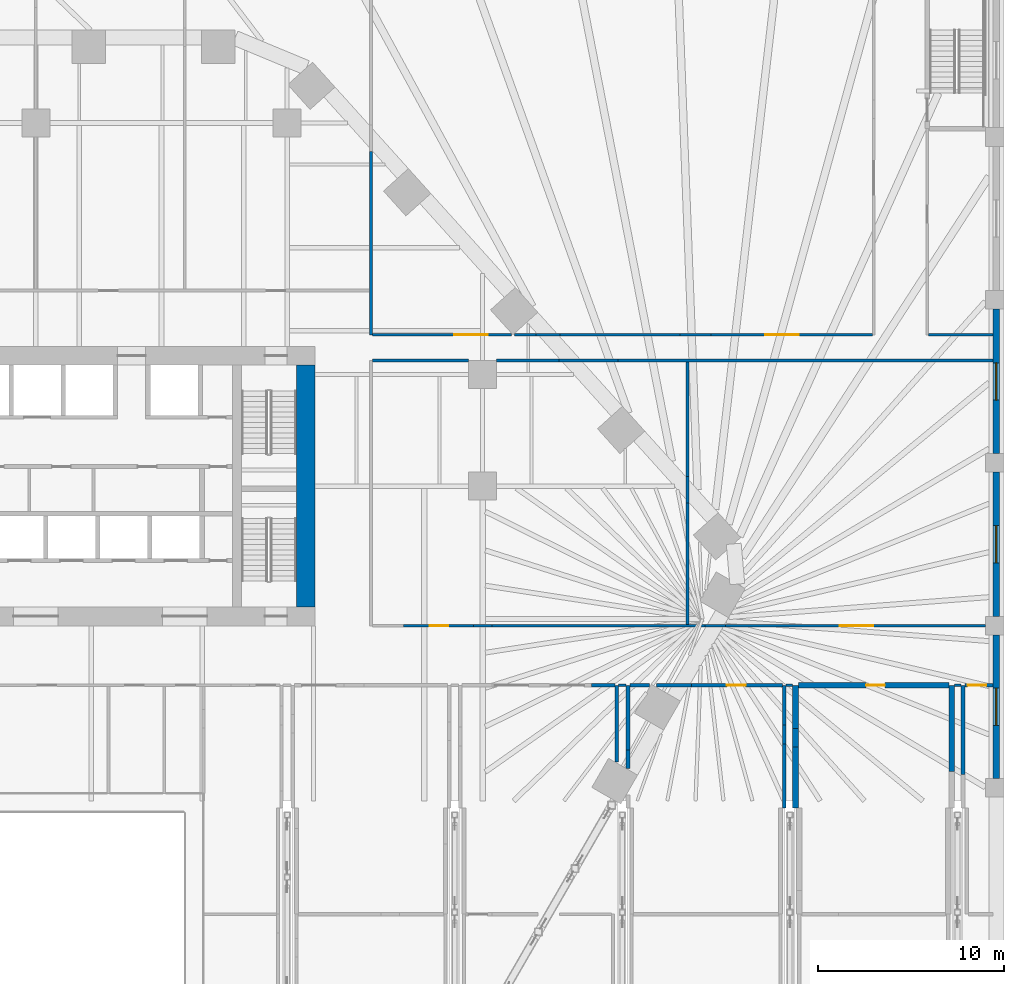
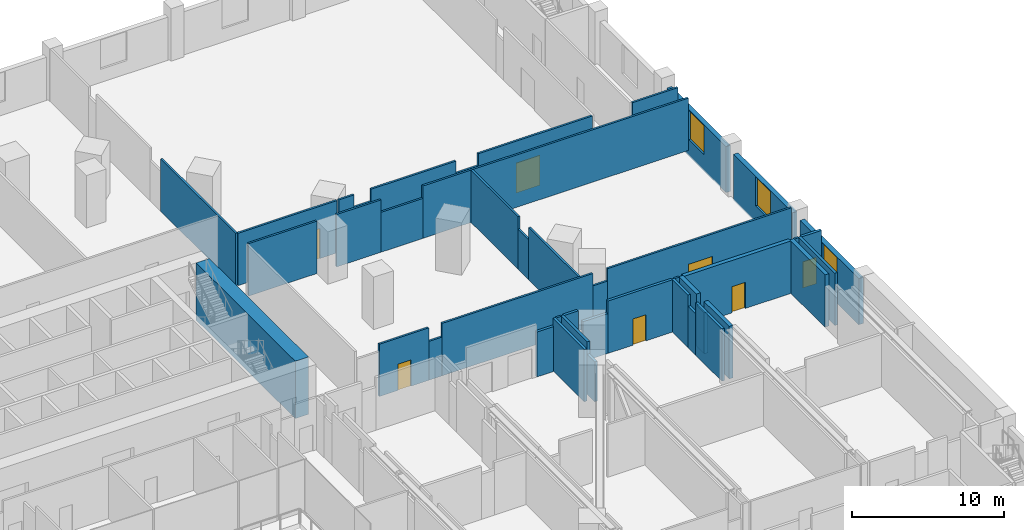
# One storey, part 21 of 32: 44 walls, 7 doors, 3 windows, 10 openings.
"""IFC4 building model written with IfcOpenShell, lengths in metres."""

import ifcopenshell
import ifcopenshell.guid

model = None  # the IFC model being written
_history = None  # IfcOwnerHistory: only IFC2X3 demands one
_inside = {}  # id of a spatial element -> (the spatial element, [elements in it])
_under = {}  # id of a project, library or spatial element -> (it, [spatial elements below it])
_declared = {}  # id of a project -> (the project, [libraries it declares])
_typed = {}  # id of a type object -> (the type object, [elements of that type])
_made_of = {}  # id of a material, layer set ... -> (it, [elements and type objects made of it])


def new_model(schema):
    """Start an empty IFC model of exactly this schema.

    Asked for "IFC4X3", IfcOpenShell would pick the latest addendum, in which some entities
    have other attributes; the version numbers below select the first issue.
    IFC2X3 requires an IfcOwnerHistory on every rooted entity: one is made here for all.
    """
    global model, _history
    if schema == "IFC4X3":
        model = ifcopenshell.file(schema_version=(4, 3, 0, 0))
    else:
        model = ifcopenshell.file(schema=schema)
    _inside.clear()
    _under.clear()
    _declared.clear()
    _typed.clear()
    _made_of.clear()
    _history = None
    if model.schema == "IFC2X3":
        org = make("IfcOrganization", Name="unknown")
        user = make(
            "IfcPersonAndOrganization",
            ThePerson=make("IfcPerson", FamilyName="unknown"),
            TheOrganization=org,
        )
        app = make(
            "IfcApplication",
            ApplicationDeveloper=org,
            Version="unknown",
            ApplicationFullName="unknown",
            ApplicationIdentifier="unknown",
        )
        _history = make(
            "IfcOwnerHistory",
            OwningUser=user,
            OwningApplication=app,
            ChangeAction="ADDED",
            CreationDate=0,
        )
    return model


def make(cls, **values):
    """One entity of the class cls with the attributes given. An attribute that is None is left unset."""
    return model.create_entity(
        cls, **{name: value for name, value in values.items() if value is not None}
    )


def rooted(cls, **values):
    """An entity with a GlobalId (a new one), such as an element, a storey or a relation."""
    return make(cls, GlobalId=ifcopenshell.guid.new(), OwnerHistory=_history, **values)


def si_unit(unit_type, name, prefix=None):
    """IfcSIUnit, for example si_unit("LENGTHUNIT", "METRE", prefix="MILLI")."""
    return make("IfcSIUnit", UnitType=unit_type, Prefix=prefix, Name=name)


def assignment(units):
    """IfcUnitAssignment: the units of a project."""
    return None if units is None else make("IfcUnitAssignment", Units=units)


def point(xyz):
    """IfcCartesianPoint."""
    return None if xyz is None else make("IfcCartesianPoint", Coordinates=xyz)


def direction(xyz):
    """IfcDirection."""
    return None if xyz is None else make("IfcDirection", DirectionRatios=xyz)


def frame(location, z_axis=None, x_axis=None):
    """IfcAxis2Placement3D, a coordinate frame: its origin and axes. An axis left out is left unset."""
    return make(
        "IfcAxis2Placement3D",
        Location=point(location),
        Axis=direction(z_axis),
        RefDirection=direction(x_axis),
    )


def frame_2d(location, x_axis=None):
    """IfcAxis2Placement2D, a coordinate frame in the plane: its origin and x axis."""
    return make(
        "IfcAxis2Placement2D", Location=point(location), RefDirection=direction(x_axis)
    )


def origin():
    """The frame at (0, 0, 0) with its axes left unset."""
    return frame((0.0, 0.0, 0.0))


def place(relative_to, where):
    """IfcLocalPlacement: puts the frame where relative to a parent placement (None: the world)."""
    return make(
        "IfcLocalPlacement", PlacementRelTo=relative_to, RelativePlacement=where
    )


def context(
    kind, dimensions, precision=None, world=None, true_north=None, identifier=None
):
    """IfcGeometricRepresentationContext, for example the 3D "Model" context."""
    return make(
        "IfcGeometricRepresentationContext",
        ContextIdentifier=identifier,
        ContextType=kind,
        CoordinateSpaceDimension=dimensions,
        Precision=precision,
        WorldCoordinateSystem=world,
        TrueNorth=true_north,
    )


def subcontext(parent, identifier, kind, view, scale=None):
    """IfcGeometricRepresentationSubContext, for example "Body" below "Model"."""
    return make(
        "IfcGeometricRepresentationSubContext",
        ContextIdentifier=identifier,
        ContextType=kind,
        ParentContext=parent,
        TargetScale=scale,
        TargetView=view,
    )


def project(units=None, contexts=None):
    """IfcProject with its units and contexts."""
    return rooted(
        "IfcProject",
        Name="project",
        RepresentationContexts=contexts,
        UnitsInContext=assignment(units),
    )


def spatial(cls, under=None, at=None, **own):
    """A site, building, storey or space (cls), placed at a placement, below another one or the project."""
    s = rooted(cls, ObjectPlacement=at, **own)
    if under is not None:
        _under.setdefault(under.id(), (under, []))[1].append(s)
    return s


def profile(cls, at=None, kind="AREA", **sizes):
    """A parametric profile (cls). Its sizes go by their IFC names, for example OverallWidth=200.0."""
    return make(cls, ProfileType=kind, Position=at, **sizes)


def rectangle(**sizes):
    """IfcRectangleProfileDef."""
    return profile("IfcRectangleProfileDef", **sizes)


def extrude(swept, where, along, depth):
    """IfcExtrudedAreaSolid: the profile swept, set in the frame where, extruded along a direction by depth."""
    return make(
        "IfcExtrudedAreaSolid",
        SweptArea=swept,
        Position=where,
        ExtrudedDirection=direction(along),
        Depth=depth,
    )


def shape(context_of_items, identifier, shape_type, items):
    """IfcShapeRepresentation: the items that make up one representation, for example the "Body"."""
    return make(
        "IfcShapeRepresentation",
        ContextOfItems=context_of_items,
        RepresentationIdentifier=identifier,
        RepresentationType=shape_type,
        Items=items,
    )


def material(Name=None, Category=None):
    """IfcMaterial."""
    return make("IfcMaterial", Name=Name, Category=Category)


def layer(
    of_material, thickness, ventilated=None, Name=None, Category=None, Priority=None
):
    """IfcMaterialLayer: one layer of a wall or slab, of a material (None: an air gap)."""
    return make(
        "IfcMaterialLayer",
        Material=of_material,
        LayerThickness=thickness,
        IsVentilated=ventilated,
        Name=Name,
        Category=Category,
        Priority=Priority,
    )


def layer_set(layers, Name=None):
    """IfcMaterialLayerSet."""
    return make("IfcMaterialLayerSet", MaterialLayers=layers, LayerSetName=Name)


def made_of(thing, what):
    """Note that an element or type object is made of a material, layer set ...; save() writes the relation."""
    if what is not None:
        _made_of.setdefault(what.id(), (what, []))[1].append(thing)
    return thing


def type_object(cls, material=None, **own):
    """A type object (cls), such as IfcWallType, which elements share."""
    return made_of(rooted(cls, **own), material)


def element(
    cls,
    number,
    at=None,
    inside=None,
    cuts=None,
    type_object=None,
    material=None,
    context=None,
    identifier="Body",
    shape_type=None,
    held_by="IfcProductDefinitionShape",
    body=None,
    shapes=None,
    **own,
):
    """One element of the class cls, such as IfcWall. Its Tag is "e" and its number.

    at: its placement. inside: the storey or other place that contains it. cuts: it is an
    opening in that element (IfcRelVoidsElement). A single representation is given by context,
    identifier, shape_type and body (its items); several are given by shapes. held_by: the class
    of the entity that holds the representations. save() writes the other relations.
    """
    e = rooted(cls, Tag="e%d" % number, ObjectPlacement=at, **own)
    if body is not None:
        shapes = [shape(context, identifier, shape_type, body)]
    if shapes is not None:
        e.Representation = make(held_by, Representations=shapes)
    if inside is not None:
        _inside.setdefault(inside.id(), (inside, []))[1].append(e)
    if cuts is not None:
        rooted(
            "IfcRelVoidsElement", RelatingBuildingElement=cuts, RelatedOpeningElement=e
        )
    if type_object is not None:
        _typed.setdefault(type_object.id(), (type_object, []))[1].append(e)
    return made_of(e, material)


def fill(opening, filler):
    """IfcRelFillsElement: the door or window that sits in an opening."""
    return rooted(
        "IfcRelFillsElement",
        RelatingOpeningElement=opening,
        RelatedBuildingElement=filler,
    )


def aggregate(whole, parts):
    """IfcRelAggregates: a whole, such as a stair, and the parts it consists of."""
    return rooted("IfcRelAggregates", RelatingObject=whole, RelatedObjects=parts)


def save(model, path):
    """Write the relations noted so far, then the file.

    IfcRelAggregates (storeys below a building ...), IfcRelContainedInSpatialStructure (elements
    in a storey), IfcRelDefinesByType, IfcRelAssociatesMaterial and IfcRelDeclares: one each for
    every whole, place, type object, material and project.
    """
    for whole, parts in _under.values():
        aggregate(whole, parts)
    for where, things in _inside.values():
        rooted(
            "IfcRelContainedInSpatialStructure",
            RelatedElements=things,
            RelatingStructure=where,
        )
    for kind, things in _typed.values():
        rooted("IfcRelDefinesByType", RelatedObjects=things, RelatingType=kind)
    for what, things in _made_of.values():
        rooted("IfcRelAssociatesMaterial", RelatedObjects=things, RelatingMaterial=what)
    for by, libraries in _declared.values():
        rooted("IfcRelDeclares", RelatingContext=by, RelatedDefinitions=libraries)
    model.write(path)


model = new_model("IFC4")

# Units and contexts
model_context = context("Model", 3, precision=1e-05, world=origin(), true_north=direction((0.0, 1.0)))
body_context = subcontext(model_context, "Body", "Model", "MODEL_VIEW")
ifc_project = project(units=[si_unit("LENGTHUNIT", "METRE"), si_unit("AREAUNIT", "SQUARE_METRE"), si_unit("VOLUMEUNIT", "CUBIC_METRE"), si_unit("PLANEANGLEUNIT", "RADIAN"), si_unit("MASSUNIT", "GRAM", prefix="KILO")], contexts=[model_context])

# Site, building, storey
site_placement = place(None, origin())
site = spatial("IfcSite", under=ifc_project, at=site_placement, CompositionType="ELEMENT")
building_placement = place(site_placement, origin())
building = spatial("IfcBuilding", under=site, at=building_placement, Name="Isthmus Gate Tower", CompositionType="ELEMENT")
storey_placement = place(building_placement, frame((0.0, 0.0, 18.0)))
storey = spatial("IfcBuildingStorey", under=building, at=storey_placement, Name="L02", CompositionType="ELEMENT", Elevation=18.0)

# Wall, opening, door
ifc_material_1 = material(Name="Double-leaf gypsum board with mineral wool, resilient mounted")
ifc_layer_1 = layer(ifc_material_1, 0.300048828125)
ifc_layer_set_1 = layer_set([ifc_layer_1], Name="Acoustic studio wall 300 double leaf")
wall_type_1 = type_object("IfcWallType", Name="Acoustic studio wall 300 double leaf", PredefinedType="PARTITIONING", material=ifc_layer_set_1)
wall_1_placement = place(storey_placement, frame((40.949951171875, -3.199951171875, 0.0), z_axis=(0.0, 0.0, 1.0), x_axis=(1.0, 0.0, 0.0)))
wall_1 = element("IfcWall", 1, at=wall_1_placement, inside=storey, type_object=wall_type_1, Name="Acoustic studio wall", PredefinedType="PARTITIONING", context=body_context, shape_type="SweptSolid", body=[
    extrude(rectangle(XDim=8.10009765625, YDim=0.300048828125, at=frame_2d((4.050048828125, 0.0))), origin(), (0.0, 0.0, 1.0), 4.199951171875),
])
opening_1_placement = place(wall_1_placement, frame((3.64990234375, 0.0, 0.0)))
opening_1 = element("IfcOpeningElement", 2, at=opening_1_placement, cuts=wall_1, Name="Opening DP02-29", PredefinedType="OPENING", context=body_context, shape_type="SweptSolid", body=[
    extrude(rectangle(XDim=1.0, YDim=2.10009765625, at=frame_2d((0.5, 1.050048828125))), frame((0.0, 0.159912109375, 0.0), z_axis=(0.0, -1.0, 0.0), x_axis=(1.0, 0.0, 0.0)), (0.0, 0.0, 1.0), 0.320068359375),
])
ifc_material_2 = material(Name="Hollow metal frame with solid-core timber leaf", Category="wood")
door_type_1 = type_object("IfcDoorType", Name="Single swing door 1000 x 2100", OperationType="SINGLE_SWING_LEFT", PredefinedType="DOOR", material=ifc_material_2)
door_1_placement = place(opening_1_placement, origin())
door_1 = element("IfcDoor", 3, at=door_1_placement, inside=storey, type_object=door_type_1, Name="Door DP02-29", OperationType="SINGLE_SWING_LEFT", OverallHeight=2.10009765625, OverallWidth=1.0, PredefinedType="DOOR", context=body_context, shape_type="SweptSolid", body=[
    extrude(rectangle(XDim=1.0, YDim=2.10009765625, at=frame_2d((0.5, 1.050048828125))), frame((0.0, 0.02490234375, 0.0), z_axis=(0.0, -1.0, 0.0), x_axis=(1.0, 0.0, 0.0)), (0.0, 0.0, 1.0), 0.050048828125),
])
fill(opening_1, door_1)

# Walls
wall_2_placement = place(storey_placement, frame((40.800048828125, -9.800048828125, 0.0), z_axis=(0.0, 0.0, 1.0), x_axis=(0.0, 1.0, 0.0)))
element("IfcWall", 4, at=wall_2_placement, inside=storey, type_object=wall_type_1, Name="Acoustic studio wall", PredefinedType="PARTITIONING", context=body_context, shape_type="SweptSolid", body=[
    extrude(rectangle(XDim=3.295654296875, YDim=0.300048828125, at=frame_2d((1.64794921875, 0.0))), origin(), (0.0, 0.0, 1.0), 4.199951171875),
])
wall_3_placement = place(storey_placement, frame((40.800048828125, -6.50439453125, 0.0), z_axis=(0.0, 0.0, 1.0), x_axis=(0.0, 1.0, 0.0)))
element("IfcWall", 5, at=wall_3_placement, inside=storey, type_object=wall_type_1, Name="Acoustic studio wall", PredefinedType="PARTITIONING", context=body_context, shape_type="SweptSolid", body=[
    extrude(rectangle(XDim=1.0, YDim=0.300048828125, at=frame_2d((0.5, 0.0))), origin(), (0.0, 0.0, 1.0), 3.29833984375),
])
wall_4_placement = place(storey_placement, frame((40.800048828125, -5.50439453125, 0.0), z_axis=(0.0, 0.0, 1.0), x_axis=(0.0, 1.0, 0.0)))
element("IfcWall", 6, at=wall_4_placement, inside=storey, type_object=wall_type_1, Name="Acoustic studio wall", PredefinedType="PARTITIONING", context=body_context, shape_type="SweptSolid", body=[
    extrude(rectangle(XDim=2.303466796875, YDim=0.300048828125, at=frame_2d((1.15185546875, 0.0))), origin(), (0.0, 0.0, 1.0), 4.199951171875),
])
wall_5_placement = place(storey_placement, frame((49.199951171875, -7.82275390625, 0.0), z_axis=(0.0, 0.0, 1.0), x_axis=(0.0, 1.0, 0.0)))
element("IfcWall", 7, at=wall_5_placement, inside=storey, type_object=wall_type_1, Name="Acoustic studio wall", PredefinedType="PARTITIONING", context=body_context, shape_type="SweptSolid", body=[
    extrude(rectangle(XDim=4.621826171875, YDim=0.300048828125, at=frame_2d((2.31103515625, 0.0))), origin(), (0.0, 0.0, 1.0), 4.199951171875),
])
ifc_material_3 = material(Name="Concrete f'c 30 MPa", Category="concrete")
ifc_layer_2 = layer(ifc_material_3, 0.199951171875)
ifc_layer_set_2 = layer_set([ifc_layer_2], Name="Fire-rated block wall 200")
wall_type_2 = type_object("IfcWallType", Name="Fire-rated block wall 200", PredefinedType="PARTITIONING", material=ifc_layer_set_2)
wall_6_placement = place(storey_placement, frame((29.832763671875, -3.199951171875, 0.0), z_axis=(0.0, 0.0, 1.0), x_axis=(1.0, 0.0, 0.0)))
element("IfcWall", 8, at=wall_6_placement, inside=storey, type_object=wall_type_2, Name="Fire-rated wall", PredefinedType="PARTITIONING", context=body_context, shape_type="SweptSolid", body=[
    extrude(rectangle(XDim=1.267333984375, YDim=0.199951171875, at=frame_2d((0.6337890625, 0.0))), origin(), (0.0, 0.0, 1.0), 3.5966796875),
])
wall_7_placement = place(storey_placement, frame((31.89990234375, -3.199951171875, 0.0), z_axis=(0.0, 0.0, 1.0), x_axis=(1.0, 0.0, 0.0)))
element("IfcWall", 9, at=wall_7_placement, inside=storey, type_object=wall_type_2, Name="Fire-rated wall", PredefinedType="PARTITIONING", context=body_context, shape_type="SweptSolid", body=[
    extrude(rectangle(XDim=1.06689453125, YDim=0.199951171875, at=frame_2d((0.533447265625, 0.0))), origin(), (0.0, 0.0, 1.0), 4.199951171875),
])
wall_8_placement = place(storey_placement, frame((33.3291015625, -3.199951171875, 0.0), z_axis=(0.0, 0.0, 1.0), x_axis=(1.0, 0.0, 0.0)))
element("IfcWall", 10, at=wall_8_placement, inside=storey, type_object=wall_type_2, Name="Fire-rated wall", PredefinedType="PARTITIONING", context=body_context, shape_type="SweptSolid", body=[
    extrude(rectangle(XDim=1.889404296875, YDim=0.199951171875, at=frame_2d((0.94482421875, 0.0))), origin(), (0.0, 0.0, 1.0), 3.199951171875),
])

# Wall, opening, door
wall_9_placement = place(storey_placement, frame((35.218505859375, -3.199951171875, 0.0), z_axis=(0.0, 0.0, 1.0), x_axis=(1.0, 0.0, 0.0)))
wall_9 = element("IfcWall", 11, at=wall_9_placement, inside=storey, type_object=wall_type_2, Name="Fire-rated wall", PredefinedType="PARTITIONING", context=body_context, shape_type="SweptSolid", body=[
    extrude(rectangle(XDim=4.881591796875, YDim=0.199951171875, at=frame_2d((2.44091796875, 0.0))), origin(), (0.0, 0.0, 1.0), 4.199951171875),
])
opening_2_placement = place(wall_9_placement, frame((1.89990234375, 0.0, 0.0)))
opening_2 = element("IfcOpeningElement", 12, at=opening_2_placement, cuts=wall_9, Name="Opening DP02-28", PredefinedType="OPENING", context=body_context, shape_type="SweptSolid", body=[
    extrude(rectangle(XDim=1.0, YDim=2.10009765625, at=frame_2d((0.5, 1.050048828125))), frame((0.0, 0.10986328125, 0.0), z_axis=(0.0, -1.0, 0.0), x_axis=(1.0, 0.0, 0.0)), (0.0, 0.0, 1.0), 0.219970703125),
])
ifc_material_4 = material(Name="Steel fire door with intumescent seals", Category="steel")
door_type_2 = type_object("IfcDoorType", Name="Fire door 1000 x 2100", OperationType="SINGLE_SWING_LEFT", PredefinedType="DOOR", material=ifc_material_4)
door_2_placement = place(opening_2_placement, origin())
door_2 = element("IfcDoor", 13, at=door_2_placement, inside=storey, type_object=door_type_2, Name="Door DP02-28", OperationType="SINGLE_SWING_LEFT", OverallHeight=2.10009765625, OverallWidth=1.0, PredefinedType="DOOR", context=body_context, shape_type="SweptSolid", body=[
    extrude(rectangle(XDim=1.0, YDim=2.10009765625, at=frame_2d((0.5, 1.050048828125))), frame((0.0, 0.02490234375, 0.0), z_axis=(0.0, -1.0, 0.0), x_axis=(1.0, 0.0, 0.0)), (0.0, 0.0, 1.0), 0.050048828125),
])
fill(opening_2, door_2)

wall_10_placement = place(storey_placement, frame((49.89990234375, -3.199951171875, 0.0), z_axis=(0.0, 0.0, 1.0), x_axis=(1.0, 0.0, 0.0)))
wall_10 = element("IfcWall", 14, at=wall_10_placement, inside=storey, type_object=wall_type_2, Name="Fire-rated wall", PredefinedType="PARTITIONING", context=body_context, shape_type="SweptSolid", body=[
    extrude(rectangle(XDim=1.5, YDim=0.199951171875, at=frame_2d((0.75, 0.0))), origin(), (0.0, 0.0, 1.0), 4.199951171875),
])
opening_3_placement = place(wall_10_placement, frame((0.14990234375, 0.0, 0.0)))
opening_3 = element("IfcOpeningElement", 15, at=opening_3_placement, cuts=wall_10, Name="Opening DP02-30", PredefinedType="OPENING", context=body_context, shape_type="SweptSolid", body=[
    extrude(rectangle(XDim=1.0, YDim=2.10009765625, at=frame_2d((0.5, 1.050048828125))), frame((0.0, 0.10986328125, 0.0), z_axis=(0.0, -1.0, 0.0), x_axis=(1.0, 0.0, 0.0)), (0.0, 0.0, 1.0), 0.219970703125),
])
door_3_placement = place(opening_3_placement, origin())
door_3 = element("IfcDoor", 16, at=door_3_placement, inside=storey, type_object=door_type_2, Name="Door DP02-30", OperationType="SINGLE_SWING_LEFT", OverallHeight=2.10009765625, OverallWidth=1.0, PredefinedType="DOOR", context=body_context, shape_type="SweptSolid", body=[
    extrude(rectangle(XDim=1.0, YDim=2.10009765625, at=frame_2d((0.5, 1.050048828125))), frame((0.0, 0.02490234375, 0.0), z_axis=(0.0, -1.0, 0.0), x_axis=(1.0, 0.0, 0.0)), (0.0, 0.0, 1.0), 0.050048828125),
])
fill(opening_3, door_3)

# Walls
wall_11_placement = place(storey_placement, frame((31.199951171875, -7.31640625, 0.0), z_axis=(0.0, 0.0, 1.0), x_axis=(0.0, 1.0, 0.0)))
element("IfcWall", 17, at=wall_11_placement, inside=storey, type_object=wall_type_2, Name="Fire-rated wall", PredefinedType="PARTITIONING", context=body_context, shape_type="SweptSolid", body=[
    extrude(rectangle(XDim=4.115478515625, YDim=0.199951171875, at=frame_2d((2.0576171875, 0.0))), origin(), (0.0, 0.0, 1.0), 4.199951171875),
])
wall_12_placement = place(storey_placement, frame((31.800048828125, -7.662841796875, 0.0), z_axis=(0.0, 0.0, 1.0), x_axis=(0.0, 1.0, 0.0)))
element("IfcWall", 18, at=wall_12_placement, inside=storey, type_object=wall_type_2, Name="Fire-rated wall", PredefinedType="PARTITIONING", context=body_context, shape_type="SweptSolid", body=[
    extrude(rectangle(XDim=1.0, YDim=0.199951171875, at=frame_2d((0.5, 0.0))), origin(), (0.0, 0.0, 1.0), 3.199951171875),
])
wall_13_placement = place(storey_placement, frame((31.800048828125, -6.662841796875, 0.0), z_axis=(0.0, 0.0, 1.0), x_axis=(0.0, 1.0, 0.0)))
element("IfcWall", 19, at=wall_13_placement, inside=storey, type_object=wall_type_2, Name="Fire-rated wall", PredefinedType="PARTITIONING", context=body_context, shape_type="SweptSolid", body=[
    extrude(rectangle(XDim=3.4619140625, YDim=0.199951171875, at=frame_2d((1.73095703125, 0.0))), origin(), (0.0, 0.0, 1.0), 4.199951171875),
])
wall_14_placement = place(storey_placement, frame((40.199951171875, -9.800048828125, 0.0), z_axis=(0.0, 0.0, 1.0), x_axis=(0.0, 1.0, 0.0)))
element("IfcWall", 20, at=wall_14_placement, inside=storey, type_object=wall_type_2, Name="Fire-rated wall", PredefinedType="PARTITIONING", context=body_context, shape_type="SweptSolid", body=[
    extrude(rectangle(XDim=3.461181640625, YDim=0.199951171875, at=frame_2d((1.73046875, 0.0))), origin(), (0.0, 0.0, 1.0), 4.199951171875),
])
wall_15_placement = place(storey_placement, frame((40.199951171875, -6.3388671875, 0.0), z_axis=(0.0, 0.0, 1.0), x_axis=(0.0, 1.0, 0.0)))
element("IfcWall", 21, at=wall_15_placement, inside=storey, type_object=wall_type_2, Name="Fire-rated wall", PredefinedType="PARTITIONING", context=body_context, shape_type="SweptSolid", body=[
    extrude(rectangle(XDim=1.0, YDim=0.199951171875, at=frame_2d((0.5, 0.0))), origin(), (0.0, 0.0, 1.0), 3.29833984375),
])
wall_16_placement = place(storey_placement, frame((40.199951171875, -5.3388671875, 0.0), z_axis=(0.0, 0.0, 1.0), x_axis=(0.0, 1.0, 0.0)))
element("IfcWall", 22, at=wall_16_placement, inside=storey, type_object=wall_type_2, Name="Fire-rated wall", PredefinedType="PARTITIONING", context=body_context, shape_type="SweptSolid", body=[
    extrude(rectangle(XDim=2.137939453125, YDim=0.199951171875, at=frame_2d((1.06884765625, 0.0))), origin(), (0.0, 0.0, 1.0), 4.199951171875),
])
wall_17_placement = place(storey_placement, frame((49.800048828125, -7.98828125, 0.0), z_axis=(0.0, 0.0, 1.0), x_axis=(0.0, 1.0, 0.0)))
element("IfcWall", 23, at=wall_17_placement, inside=storey, type_object=wall_type_2, Name="Fire-rated wall", PredefinedType="PARTITIONING", context=body_context, shape_type="SweptSolid", body=[
    extrude(rectangle(XDim=4.787353515625, YDim=0.199951171875, at=frame_2d((2.3935546875, 0.0))), origin(), (0.0, 0.0, 1.0), 4.199951171875),
])

# Wall, opening, window
ifc_material_5 = material(Name="Precast concrete C40/50, limestone-faced", Category="masonry")
ifc_layer_3 = layer(ifc_material_5, 0.35009765625)
ifc_layer_set_3 = layer_set([ifc_layer_3], Name="PODIUM CLADDING WALL 350")
wall_type_3 = type_object("IfcWallType", Name="PODIUM CLADDING WALL 350", PredefinedType="SOLIDWALL", material=ifc_layer_set_3)
wall_18_placement = place(storey_placement, frame((51.574951171875, -8.199951171875, -0.39990234375), z_axis=(0.0, 0.0, 1.0), x_axis=(0.0, 1.0, 0.0)))
wall_18 = element("IfcWall", 24, at=wall_18_placement, inside=storey, type_object=wall_type_3, Name="PODIUM WALL", PredefinedType="SOLIDWALL", context=body_context, shape_type="SweptSolid", body=[
    extrude(rectangle(XDim=7.699951171875, YDim=0.35009765625, at=frame_2d((3.85009765625, 0.0))), origin(), (0.0, 0.0, 1.0), 3.699951171875),
])
opening_4_placement = place(wall_18_placement, frame((2.85009765625, 0.0, 1.300048828125)))
opening_4 = element("IfcOpeningElement", 25, at=opening_4_placement, cuts=wall_18, Name="Opening W012", PredefinedType="OPENING", context=body_context, shape_type="SweptSolid", body=[
    extrude(rectangle(XDim=2.0, YDim=2.35009765625, at=frame_2d((1.0, 1.175048828125))), frame((0.0, 0.18505859375, 0.0), z_axis=(0.0, -1.0, 0.0), x_axis=(1.0, 0.0, 0.0)), (0.0, 0.0, 1.0), 0.3701171875),
])
ifc_material_6 = material(Name="Aluminium, pale champagne anodised, laminated glass", Category="aluminium")
window_type = type_object("IfcWindowType", Name="PODIUM SLOT WINDOW 2000 X 2350", PartitioningType="SINGLE_PANEL", PredefinedType="WINDOW", material=ifc_material_6)
window_1_placement = place(opening_4_placement, origin())
window_1 = element("IfcWindow", 26, at=window_1_placement, inside=storey, type_object=window_type, Name="SLOT WINDOW", OverallHeight=2.35009765625, OverallWidth=2.0, PartitioningType="SINGLE_PANEL", PredefinedType="WINDOW", context=body_context, shape_type="SweptSolid", body=[
    extrude(rectangle(XDim=2.0, YDim=2.35009765625, at=frame_2d((1.0, 1.175048828125))), frame((0.0, 0.030029296875, 0.0), z_axis=(0.0, -1.0, 0.0), x_axis=(1.0, 0.0, 0.0)), (0.0, 0.0, 1.0), 0.06005859375),
])
fill(opening_4, window_1)

wall_19_placement = place(storey_placement, frame((51.574951171875, 0.5, -0.39990234375), z_axis=(0.0, 0.0, 1.0), x_axis=(0.0, 1.0, 0.0)))
wall_19 = element("IfcWall", 27, at=wall_19_placement, inside=storey, type_object=wall_type_3, Name="PODIUM WALL", PredefinedType="SOLIDWALL", context=body_context, shape_type="SweptSolid", body=[
    extrude(rectangle(XDim=7.75, YDim=0.35009765625, at=frame_2d((3.875, 0.0))), origin(), (0.0, 0.0, 1.0), 3.699951171875),
])
opening_5_placement = place(wall_19_placement, frame((2.875, 0.0, 1.300048828125)))
opening_5 = element("IfcOpeningElement", 28, at=opening_5_placement, cuts=wall_19, Name="Opening W013", PredefinedType="OPENING", context=body_context, shape_type="SweptSolid", body=[
    extrude(rectangle(XDim=2.0, YDim=2.35009765625, at=frame_2d((1.0, 1.175048828125))), frame((0.0, 0.18505859375, 0.0), z_axis=(0.0, -1.0, 0.0), x_axis=(1.0, 0.0, 0.0)), (0.0, 0.0, 1.0), 0.3701171875),
])
window_2_placement = place(opening_5_placement, origin())
window_2 = element("IfcWindow", 29, at=window_2_placement, inside=storey, type_object=window_type, Name="SLOT WINDOW", OverallHeight=2.35009765625, OverallWidth=2.0, PartitioningType="SINGLE_PANEL", PredefinedType="WINDOW", context=body_context, shape_type="SweptSolid", body=[
    extrude(rectangle(XDim=2.0, YDim=2.35009765625, at=frame_2d((1.0, 1.175048828125))), frame((0.0, 0.030029296875, 0.0), z_axis=(0.0, -1.0, 0.0), x_axis=(1.0, 0.0, 0.0)), (0.0, 0.0, 1.0), 0.06005859375),
])
fill(opening_5, window_2)

wall_20_placement = place(storey_placement, frame((51.574951171875, 9.25, -0.39990234375), z_axis=(0.0, 0.0, 1.0), x_axis=(0.0, 1.0, 0.0)))
wall_20 = element("IfcWall", 30, at=wall_20_placement, inside=storey, type_object=wall_type_3, Name="PODIUM WALL", PredefinedType="SOLIDWALL", context=body_context, shape_type="SweptSolid", body=[
    extrude(rectangle(XDim=7.75, YDim=0.35009765625, at=frame_2d((3.875, 0.0))), origin(), (0.0, 0.0, 1.0), 3.699951171875),
])
opening_6_placement = place(wall_20_placement, frame((2.875, 0.0, 1.300048828125)))
opening_6 = element("IfcOpeningElement", 31, at=opening_6_placement, cuts=wall_20, Name="Opening W014", PredefinedType="OPENING", context=body_context, shape_type="SweptSolid", body=[
    extrude(rectangle(XDim=2.0, YDim=2.35009765625, at=frame_2d((1.0, 1.175048828125))), frame((0.0, 0.18505859375, 0.0), z_axis=(0.0, -1.0, 0.0), x_axis=(1.0, 0.0, 0.0)), (0.0, 0.0, 1.0), 0.3701171875),
])
window_3_placement = place(opening_6_placement, origin())
window_3 = element("IfcWindow", 32, at=window_3_placement, inside=storey, type_object=window_type, Name="SLOT WINDOW", OverallHeight=2.35009765625, OverallWidth=2.0, PartitioningType="SINGLE_PANEL", PredefinedType="WINDOW", context=body_context, shape_type="SweptSolid", body=[
    extrude(rectangle(XDim=2.0, YDim=2.35009765625, at=frame_2d((1.0, 1.175048828125))), frame((0.0, 0.030029296875, 0.0), z_axis=(0.0, -1.0, 0.0), x_axis=(1.0, 0.0, 0.0)), (0.0, 0.0, 1.0), 0.06005859375),
])
fill(opening_6, window_3)

# Walls
ifc_material_7 = material(Name="Gypsum board on cold-formed steel studs", Category="steel")
ifc_layer_4 = layer(ifc_material_7, 0.14990234375)
ifc_layer_set_4 = layer_set([ifc_layer_4])
wall_type_4 = type_object("IfcWallType", Name="Partition 150 gypsum board on steel studs", PredefinedType="PARTITIONING", material=ifc_layer_set_4)
wall_21_placement = place(storey_placement, frame((31.300048828125, -3.199951171875, 0.0), z_axis=(0.0, 0.0, 1.0), x_axis=(1.0, 0.0, 0.0)))
element("IfcWall", 33, at=wall_21_placement, inside=storey, type_object=wall_type_4, Name="Partition", PredefinedType="PARTITIONING", context=body_context, shape_type="SweptSolid", body=[
    extrude(rectangle(XDim=0.39990234375, YDim=0.14990234375, at=frame_2d((0.199951171875, 0.0))), origin(), (0.0, 0.0, 1.0), 4.199951171875),
])
for number, where, z_axis, x_axis, name in (
    (34, (40.300048828125, -3.199951171875, 0.0), (0.0, 0.0, 1.0), (1.0, 0.0, 0.0), "Partition"),
    (35, (49.35009765625, -3.199951171875, 0.0), (0.0, 0.0, 1.0), (1.0, 0.0, 0.0), "Partition"),
):
    element("IfcWall", number, at=place(storey_placement, frame(where, z_axis=z_axis, x_axis=x_axis)), inside=storey, type_object=wall_type_4, Name=name, PredefinedType="PARTITIONING", context=body_context, shape_type="SweptSolid", body=[
        extrude(rectangle(XDim=0.349853515625, YDim=0.14990234375, at=frame_2d((0.1748046875, 0.0))), origin(), (0.0, 0.0, 1.0), 4.199951171875),
    ])

# Wall, opening, door
wall_22_placement = place(storey_placement, frame((19.7548828125, 0.0, 0.0), z_axis=(0.0, 0.0, 1.0), x_axis=(1.0, 0.0, 0.0)))
wall_22 = element("IfcWall", 36, at=wall_22_placement, inside=storey, type_object=wall_type_4, Name="Partition", PredefinedType="PARTITIONING", context=body_context, shape_type="SweptSolid", body=[
    extrude(rectangle(XDim=3.7451171875, YDim=0.14990234375, at=frame_2d((1.87255859375, 0.0))), origin(), (0.0, 0.0, 1.0), 4.199951171875),
])
opening_7_placement = place(wall_22_placement, frame((1.39990234375, 0.0, 0.0)))
opening_7 = element("IfcOpeningElement", 37, at=opening_7_placement, cuts=wall_22, Name="Opening DP02-49", PredefinedType="OPENING", context=body_context, shape_type="SweptSolid", body=[
    extrude(rectangle(XDim=1.0, YDim=2.10009765625, at=frame_2d((0.5, 1.050048828125))), frame((0.0, 0.0849609375, 0.0), z_axis=(0.0, -1.0, 0.0), x_axis=(1.0, 0.0, 0.0)), (0.0, 0.0, 1.0), 0.169921875),
])
door_4_placement = place(opening_7_placement, origin())
door_4 = element("IfcDoor", 38, at=door_4_placement, inside=storey, type_object=door_type_1, Name="Door DP02-49", OperationType="SINGLE_SWING_LEFT", OverallHeight=2.10009765625, OverallWidth=1.0, PredefinedType="DOOR", context=body_context, shape_type="SweptSolid", body=[
    extrude(rectangle(XDim=1.0, YDim=2.10009765625, at=frame_2d((0.5, 1.050048828125))), frame((0.0, 0.02490234375, 0.0), z_axis=(0.0, -1.0, 0.0), x_axis=(1.0, 0.0, 0.0)), (0.0, 0.0, 1.0), 0.050048828125),
])
fill(opening_7, door_4)

# Walls
wall_23_placement = place(storey_placement, frame((23.5, 0.0, 0.0), z_axis=(0.0, 0.0, 1.0), x_axis=(1.0, 0.0, 0.0)))
element("IfcWall", 39, at=wall_23_placement, inside=storey, type_object=wall_type_4, Name="Partition", PredefinedType="PARTITIONING", context=body_context, shape_type="SweptSolid", body=[
    extrude(rectangle(XDim=1.0, YDim=0.14990234375, at=frame_2d((0.5, 0.0))), origin(), (0.0, 0.0, 1.0), 3.111083984375),
])
wall_24_placement = place(storey_placement, frame((24.5, 0.0, 0.0), z_axis=(0.0, 0.0, 1.0), x_axis=(1.0, 0.0, 0.0)))
element("IfcWall", 40, at=wall_24_placement, inside=storey, type_object=wall_type_4, Name="Partition", PredefinedType="PARTITIONING", context=body_context, shape_type="SweptSolid", body=[
    extrude(rectangle(XDim=11.440185546875, YDim=0.14990234375, at=frame_2d((5.72021484375, 0.0))), origin(), (0.0, 0.0, 1.0), 4.199951171875),
])
wall_25_placement = place(storey_placement, frame((35.940185546875, 0.0, 0.0), z_axis=(0.0, 0.0, 1.0), x_axis=(1.0, 0.0, 0.0)))
element("IfcWall", 41, at=wall_25_placement, inside=storey, type_object=wall_type_4, Name="Partition", PredefinedType="PARTITIONING", context=body_context, shape_type="SweptSolid", body=[
    extrude(rectangle(XDim=1.096923828125, YDim=0.14990234375, at=frame_2d((0.54833984375, 0.0))), origin(), (0.0, 0.0, 1.0), 3.199951171875),
])

# Wall, opening, door
wall_26_placement = place(storey_placement, frame((37.037109375, 0.0, 0.0), z_axis=(0.0, 0.0, 1.0), x_axis=(1.0, 0.0, 0.0)))
wall_26 = element("IfcWall", 42, at=wall_26_placement, inside=storey, type_object=wall_type_4, Name="Partition", PredefinedType="PARTITIONING", context=body_context, shape_type="SweptSolid", body=[
    extrude(rectangle(XDim=13.962890625, YDim=0.14990234375, at=frame_2d((6.9814453125, 0.0))), origin(), (0.0, 0.0, 1.0), 4.199951171875),
])
opening_8_placement = place(wall_26_placement, frame((6.14990234375, 0.0, 0.0)))
opening_8 = element("IfcOpeningElement", 43, at=opening_8_placement, cuts=wall_26, Name="Opening DP02-50", PredefinedType="OPENING", context=body_context, shape_type="SweptSolid", body=[
    extrude(rectangle(XDim=1.800048828125, YDim=2.39990234375, at=frame_2d((0.89990234375, 1.199951171875))), frame((0.0, 0.0849609375, 0.0), z_axis=(0.0, -1.0, 0.0), x_axis=(1.0, 0.0, 0.0)), (0.0, 0.0, 1.0), 0.169921875),
])
ifc_material_8 = material(Name="Hollow metal frame with solid-core timber leaves", Category="wood")
door_type_3 = type_object("IfcDoorType", Name="Double swing door 1800 x 2400", OperationType="DOUBLE_DOOR_SINGLE_SWING", PredefinedType="DOOR", material=ifc_material_8)
door_5_placement = place(opening_8_placement, origin())
door_5 = element("IfcDoor", 44, at=door_5_placement, inside=storey, type_object=door_type_3, Name="Door DP02-50", OperationType="SINGLE_SWING_LEFT", OverallHeight=2.39990234375, OverallWidth=1.800048828125, PredefinedType="DOOR", context=body_context, shape_type="SweptSolid", body=[
    extrude(rectangle(XDim=1.800048828125, YDim=2.39990234375, at=frame_2d((0.89990234375, 1.199951171875))), frame((0.0, 0.02490234375, 0.0), z_axis=(0.0, -1.0, 0.0), x_axis=(1.0, 0.0, 0.0)), (0.0, 0.0, 1.0), 0.050048828125),
])
fill(opening_8, door_5)

# Walls
wall_27_placement = place(storey_placement, frame((18.074951171875, 14.25, 0.0), z_axis=(0.0, 0.0, 1.0), x_axis=(1.0, 0.0, 0.0)))
element("IfcWall", 45, at=wall_27_placement, inside=storey, type_object=wall_type_4, Name="Partition", PredefinedType="PARTITIONING", context=body_context, shape_type="SweptSolid", body=[
    extrude(rectangle(XDim=5.175048828125, YDim=0.14990234375, at=frame_2d((2.58740234375, 0.0))), origin(), (0.0, 0.0, 1.0), 4.199951171875),
])
wall_28_placement = place(storey_placement, frame((24.75, 14.25, 0.0), z_axis=(0.0, 0.0, 1.0), x_axis=(1.0, 0.0, 0.0)))
element("IfcWall", 46, at=wall_28_placement, inside=storey, type_object=wall_type_4, Name="Partition", PredefinedType="PARTITIONING", context=body_context, shape_type="SweptSolid", body=[
    extrude(rectangle(XDim=3.361083984375, YDim=0.14990234375, at=frame_2d((1.6806640625, 0.0))), origin(), (0.0, 0.0, 1.0), 4.199951171875),
])
wall_29_placement = place(storey_placement, frame((28.111083984375, 14.25, 0.0), z_axis=(0.0, 0.0, 1.0), x_axis=(1.0, 0.0, 0.0)))
element("IfcWall", 47, at=wall_29_placement, inside=storey, type_object=wall_type_4, Name="Partition", PredefinedType="PARTITIONING", context=body_context, shape_type="SweptSolid", body=[
    extrude(rectangle(XDim=3.166748046875, YDim=0.14990234375, at=frame_2d((1.58349609375, 0.0))), origin(), (0.0, 0.0, 1.0), 3.199951171875),
])
wall_30_placement = place(storey_placement, frame((31.27783203125, 14.25, 0.0), z_axis=(0.0, 0.0, 1.0), x_axis=(1.0, 0.0, 0.0)))
element("IfcWall", 48, at=wall_30_placement, inside=storey, type_object=wall_type_4, Name="Partition", PredefinedType="PARTITIONING", context=body_context, shape_type="SweptSolid", body=[
    extrude(rectangle(XDim=20.1220703125, YDim=0.14990234375, at=frame_2d((10.06103515625, 0.0))), origin(), (0.0, 0.0, 1.0), 4.199951171875),
])

# Wall, opening, door
wall_31_placement = place(storey_placement, frame((18.074951171875, 15.62890625, 0.0), z_axis=(0.0, 0.0, 1.0), x_axis=(1.0, 0.0, 0.0)))
wall_31 = element("IfcWall", 49, at=wall_31_placement, inside=storey, type_object=wall_type_4, Name="Partition", PredefinedType="PARTITIONING", context=body_context, shape_type="SweptSolid", body=[
    extrude(rectangle(XDim=7.482177734375, YDim=0.14990234375, at=frame_2d((3.7412109375, 0.0))), origin(), (0.0, 0.0, 1.0), 4.199951171875),
])
opening_9_placement = place(wall_31_placement, frame((4.39990234375, 0.0, 0.0)))
opening_9 = element("IfcOpeningElement", 50, at=opening_9_placement, cuts=wall_31, Name="Opening DP02-09", PredefinedType="OPENING", context=body_context, shape_type="SweptSolid", body=[
    extrude(rectangle(XDim=1.800048828125, YDim=2.39990234375, at=frame_2d((0.89990234375, 1.199951171875))), frame((0.0, 0.0849609375, 0.0), z_axis=(0.0, -1.0, 0.0), x_axis=(1.0, 0.0, 0.0)), (0.0, 0.0, 1.0), 0.169921875),
])
door_6_placement = place(opening_9_placement, origin())
door_6 = element("IfcDoor", 51, at=door_6_placement, inside=storey, type_object=door_type_3, Name="Door DP02-09", OperationType="SINGLE_SWING_LEFT", OverallHeight=2.39990234375, OverallWidth=1.800048828125, PredefinedType="DOOR", context=body_context, shape_type="SweptSolid", body=[
    extrude(rectangle(XDim=1.800048828125, YDim=2.39990234375, at=frame_2d((0.89990234375, 1.199951171875))), frame((0.0, 0.02490234375, 0.0), z_axis=(0.0, -1.0, 0.0), x_axis=(1.0, 0.0, 0.0)), (0.0, 0.0, 1.0), 0.050048828125),
])
fill(opening_9, door_6)

# Walls
wall_32_placement = place(storey_placement, frame((25.70751953125, 15.62890625, 0.0), z_axis=(0.0, 0.0, 1.0), x_axis=(1.0, 0.0, 0.0)))
element("IfcWall", 52, at=wall_32_placement, inside=storey, type_object=wall_type_4, Name="Partition", PredefinedType="PARTITIONING", context=body_context, shape_type="SweptSolid", body=[
    extrude(rectangle(XDim=1.161865234375, YDim=0.14990234375, at=frame_2d((0.5810546875, 0.0))), origin(), (0.0, 0.0, 1.0), 4.199951171875),
])
wall_33_placement = place(storey_placement, frame((26.869384765625, 15.62890625, 0.0), z_axis=(0.0, 0.0, 1.0), x_axis=(1.0, 0.0, 0.0)))
element("IfcWall", 53, at=wall_33_placement, inside=storey, type_object=wall_type_4, Name="Partition", PredefinedType="PARTITIONING", context=body_context, shape_type="SweptSolid", body=[
    extrude(rectangle(XDim=1.2783203125, YDim=0.14990234375, at=frame_2d((0.63916015625, 0.0))), origin(), (0.0, 0.0, 1.0), 3.199951171875),
])
wall_34_placement = place(storey_placement, frame((28.147705078125, 15.62890625, 0.0), z_axis=(0.0, 0.0, 1.0), x_axis=(1.0, 0.0, 0.0)))
element("IfcWall", 54, at=wall_34_placement, inside=storey, type_object=wall_type_4, Name="Partition", PredefinedType="PARTITIONING", context=body_context, shape_type="SweptSolid", body=[
    extrude(rectangle(XDim=6.44140625, YDim=0.14990234375, at=frame_2d((3.220703125, 0.0))), origin(), (0.0, 0.0, 1.0), 4.199951171875),
])
wall_35_placement = place(storey_placement, frame((34.589111328125, 15.62890625, 0.0), z_axis=(0.0, 0.0, 1.0), x_axis=(1.0, 0.0, 0.0)))
element("IfcWall", 55, at=wall_35_placement, inside=storey, type_object=wall_type_4, Name="Partition", PredefinedType="PARTITIONING", context=body_context, shape_type="SweptSolid", body=[
    extrude(rectangle(XDim=1.685302734375, YDim=0.14990234375, at=frame_2d((0.8427734375, 0.0))), origin(), (0.0, 0.0, 1.0), 3.218994140625),
])

# Wall, opening, door
wall_36_placement = place(storey_placement, frame((36.2744140625, 15.62890625, 0.0), z_axis=(0.0, 0.0, 1.0), x_axis=(1.0, 0.0, 0.0)))
wall_36 = element("IfcWall", 56, at=wall_36_placement, inside=storey, type_object=wall_type_4, Name="Partition", PredefinedType="PARTITIONING", context=body_context, shape_type="SweptSolid", body=[
    extrude(rectangle(XDim=8.650634765625, YDim=0.14990234375, at=frame_2d((4.3251953125, 0.0))), origin(), (0.0, 0.0, 1.0), 4.199951171875),
])
opening_10_placement = place(wall_36_placement, frame((2.89990234375, 0.0, 0.0)))
opening_10 = element("IfcOpeningElement", 57, at=opening_10_placement, cuts=wall_36, Name="Opening DP02-10", PredefinedType="OPENING", context=body_context, shape_type="SweptSolid", body=[
    extrude(rectangle(XDim=1.800048828125, YDim=2.39990234375, at=frame_2d((0.89990234375, 1.199951171875))), frame((0.0, 0.0849609375, 0.0), z_axis=(0.0, -1.0, 0.0), x_axis=(1.0, 0.0, 0.0)), (0.0, 0.0, 1.0), 0.169921875),
])
door_7_placement = place(opening_10_placement, origin())
door_7 = element("IfcDoor", 58, at=door_7_placement, inside=storey, type_object=door_type_3, Name="Door DP02-10", OperationType="SINGLE_SWING_LEFT", OverallHeight=2.39990234375, OverallWidth=1.800048828125, PredefinedType="DOOR", context=body_context, shape_type="SweptSolid", body=[
    extrude(rectangle(XDim=1.800048828125, YDim=2.39990234375, at=frame_2d((0.89990234375, 1.199951171875))), frame((0.0, 0.02490234375, 0.0), z_axis=(0.0, -1.0, 0.0), x_axis=(1.0, 0.0, 0.0)), (0.0, 0.0, 1.0), 0.050048828125),
])
fill(opening_10, door_7)

# Walls
wall_37_placement = place(storey_placement, frame((47.949951171875, 15.62890625, 0.0), z_axis=(0.0, 0.0, 1.0), x_axis=(1.0, 0.0, 0.0)))
element("IfcWall", 59, at=wall_37_placement, inside=storey, type_object=wall_type_4, Name="Partition", PredefinedType="PARTITIONING", context=body_context, shape_type="SweptSolid", body=[
    extrude(rectangle(XDim=3.449951171875, YDim=0.14990234375, at=frame_2d((1.72509765625, 0.0))), origin(), (0.0, 0.0, 1.0), 4.199951171875),
])
wall_38_placement = place(storey_placement, frame((18.0, 15.62939453125, 0.0), z_axis=(0.0, 0.0, 1.0), x_axis=(0.0, 1.0, 0.0)))
element("IfcWall", 60, at=wall_38_placement, inside=storey, type_object=wall_type_4, Name="Partition", PredefinedType="PARTITIONING", context=body_context, shape_type="SweptSolid", body=[
    extrude(rectangle(XDim=9.85009765625, YDim=0.14990234375, at=frame_2d((4.925048828125, 0.0))), origin(), (0.0, 0.0, 1.0), 4.199951171875),
])
wall_39_placement = place(storey_placement, frame((35.0, 0.074951171875, 0.0), z_axis=(0.0, 0.0, 1.0), x_axis=(0.0, 1.0, 0.0)))
element("IfcWall", 61, at=wall_39_placement, inside=storey, type_object=wall_type_4, Name="Partition", PredefinedType="PARTITIONING", context=body_context, shape_type="SweptSolid", body=[
    extrude(rectangle(XDim=6.524169921875, YDim=0.14990234375, at=frame_2d((3.26220703125, 0.0))), origin(), (0.0, 0.0, 1.0), 4.199951171875),
])
wall_40_placement = place(storey_placement, frame((35.0, 6.59912109375, 0.0), z_axis=(0.0, 0.0, 1.0), x_axis=(0.0, 1.0, 0.0)))
element("IfcWall", 62, at=wall_40_placement, inside=storey, type_object=wall_type_4, Name="Partition", PredefinedType="PARTITIONING", context=body_context, shape_type="SweptSolid", body=[
    extrude(rectangle(XDim=1.419677734375, YDim=0.14990234375, at=frame_2d((0.7099609375, 0.0))), origin(), (0.0, 0.0, 1.0), 3.199951171875),
])
wall_41_placement = place(storey_placement, frame((35.0, 8.018798828125, 0.0), z_axis=(0.0, 0.0, 1.0), x_axis=(0.0, 1.0, 0.0)))
element("IfcWall", 63, at=wall_41_placement, inside=storey, type_object=wall_type_4, Name="Partition", PredefinedType="PARTITIONING", context=body_context, shape_type="SweptSolid", body=[
    extrude(rectangle(XDim=6.15625, YDim=0.14990234375, at=frame_2d((3.078125, 0.0))), origin(), (0.0, 0.0, 1.0), 4.199951171875),
])
ifc_material_9 = material(Name="Concrete f'c 70 MPa", Category="concrete")
ifc_layer_5 = layer(ifc_material_9, 1.0)
ifc_layer_set_5 = layer_set([ifc_layer_5], Name="RC CORE WALL 1000 F'C 70")
wall_type_5 = type_object("IfcWallType", Name="RC CORE WALL 1000 F'C 70", PredefinedType="SOLIDWALL", material=ifc_layer_set_5)
wall_42_placement = place(storey_placement, frame((14.5, 1.0, -0.39990234375), z_axis=(0.0, 0.0, 1.0), x_axis=(0.0, 1.0, 0.0)))
element("IfcWall", 64, at=wall_42_placement, inside=storey, type_object=wall_type_5, Name="str-corewall-L02-E", PredefinedType="SOLIDWALL", context=body_context, shape_type="SweptSolid", body=[
    extrude(rectangle(XDim=13.0, YDim=1.0, at=frame_2d((6.5, 0.0))), origin(), (0.0, 0.0, 1.0), 4.599853515625),
])

save(model, "model.ifc")
